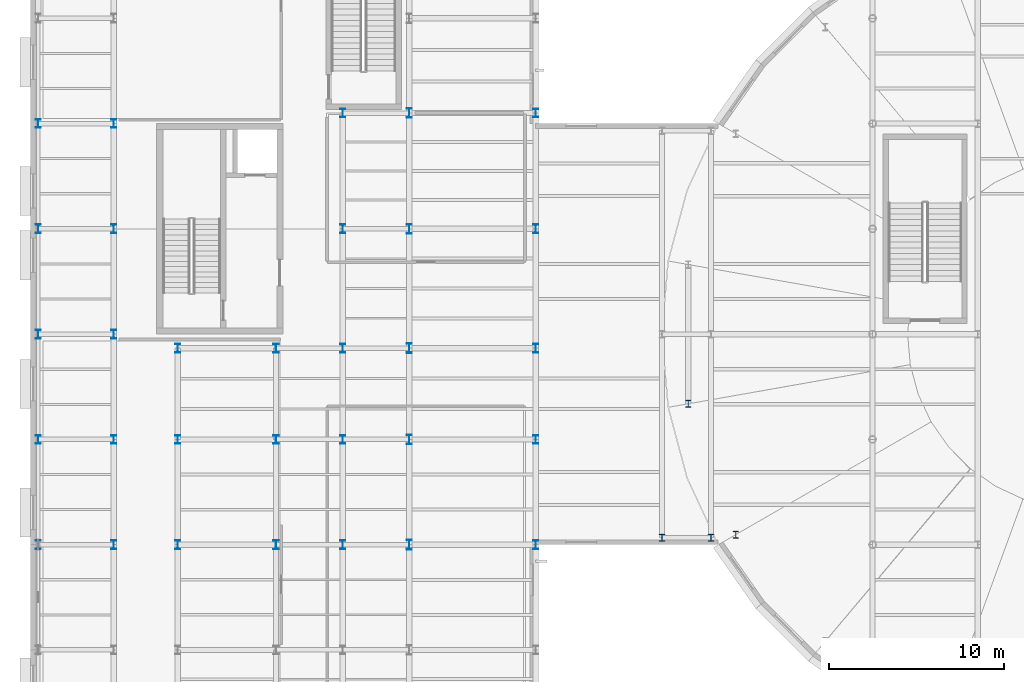
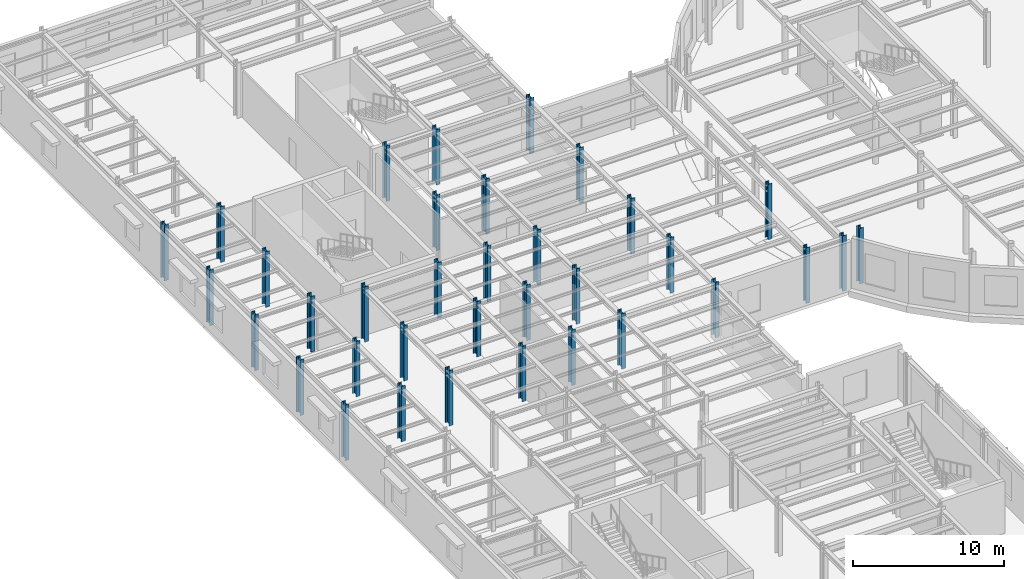
# One storey, part 3 of 91: 35 columns.
"""IFC4 building model written with IfcOpenShell, lengths in metres."""

from ifc_helpers import new_model, si_unit, direction, frame, origin, origin_2d, place, context, subcontext, project, spatial, i_section, extrude, material, material_profile, profile_set, type_object, element, save


model = new_model("IFC4")

# Units and contexts
model_context = context("Model", 3, precision=1e-05, world=origin(), true_north=direction((0.0, 1.0)))
body_context = subcontext(model_context, "Body", "Model", "MODEL_VIEW")
ifc_project = project(units=[si_unit("LENGTHUNIT", "METRE"), si_unit("AREAUNIT", "SQUARE_METRE"), si_unit("VOLUMEUNIT", "CUBIC_METRE"), si_unit("PLANEANGLEUNIT", "RADIAN"), si_unit("MASSUNIT", "GRAM", prefix="KILO")], contexts=[model_context])

# Site, building, storey
site_placement = place(None, origin())
site = spatial("IfcSite", under=ifc_project, at=site_placement, CompositionType="ELEMENT")
building_placement = place(site_placement, origin())
building = spatial("IfcBuilding", under=site, at=building_placement, Name="Kolvaren Corner Interchange", CompositionType="ELEMENT")
storey_placement = place(building_placement, frame((0.0, 0.0, 6.0)))
storey = spatial("IfcBuildingStorey", under=building, at=storey_placement, Name="L02", CompositionType="ELEMENT", Elevation=6.0)

# Columns
ifc_material_1 = material(Name="Steel S355", Category="steel")
ifc_material_profile_1 = material_profile(ifc_material_1, i_section(OverallWidth=0.300048828125, OverallDepth=0.39990234375, WebThickness=0.013427734375, FlangeThickness=0.02392578125, FilletRadius=0.027099609375, at=origin_2d()), Name="HEB 400")
ifc_profile_set_1 = profile_set([ifc_material_profile_1], Name="Steel S355")
column_type_1 = type_object("IfcColumnType", Name="COL-HEB400", PredefinedType="COLUMN", material=ifc_profile_set_1)
for number, where, z_axis, x_axis, name in (
    (1, (36.0, 36.39990234375, 0.0), (0.0, 0.0, 1.0), (1.0, 0.0, 0.0), "Storey L02 Structural Column 0447"),
    (2, (38.800048828125, 36.39990234375, 0.0), (0.0, 0.0, 1.0), (1.0, 0.0, 0.0), "Storey L02 Structural Column 0459"),
    (3, (37.4970703125, 44.031982421875, 0.0), (0.0, 0.0, 1.0), (1.0, 0.0, 0.0), "Storey L02 Structural Column 0801"),
    (4, (40.2109375, 36.574951171875, 0.0), (0.0, 0.0, 1.0), (1.0, 0.0, 0.0), "Storey L02 Structural Column 0805"),
):
    element("IfcColumn", number, at=place(storey_placement, frame(where, z_axis=z_axis, x_axis=x_axis)), inside=storey, type_object=column_type_1, Name=name, PredefinedType="COLUMN", context=body_context, shape_type="SweptSolid", body=[
        extrude(i_section(OverallWidth=0.300048828125, OverallDepth=0.39990234375, WebThickness=0.013427734375, FlangeThickness=0.02392578125, FilletRadius=0.027099609375, at=origin_2d()), origin(), (0.0, 0.0, 1.0), 4.5),
    ])
ifc_material_2 = material(Name="Steel S355", Category="steel")
ifc_material_profile_2 = material_profile(ifc_material_2, i_section(OverallWidth=0.300048828125, OverallDepth=0.5, WebThickness=0.014404296875, FlangeThickness=0.028076171875, FilletRadius=0.027099609375, at=origin_2d()), Name="HEB 500")
ifc_profile_set_2 = profile_set([ifc_material_profile_2], Name="Steel S355")
column_type_2 = type_object("IfcColumnType", Name="COL-HEB500", PredefinedType="COLUMN", material=ifc_profile_set_2)
for number, where, z_axis, x_axis, name in (
    (5, (0.449951171875, 36.0, 0.0), (0.0, 0.0, 1.0), (1.0, 0.0, 0.0), "Storey L02 Structural Column 0032"),
    (6, (0.449951171875, 42.0, 0.0), (0.0, 0.0, 1.0), (1.0, 0.0, 0.0), "Storey L02 Structural Column 0037"),
    (7, (0.449951171875, 48.0, 0.0), (0.0, 0.0, 1.0), (1.0, 0.0, 0.0), "Storey L02 Structural Column 0042"),
    (8, (0.449951171875, 54.0, 0.0), (0.0, 0.0, 1.0), (1.0, 0.0, 0.0), "Storey L02 Structural Column 0047"),
    (9, (0.449951171875, 60.0, 0.0), (0.0, 0.0, 1.0), (1.0, 0.0, 0.0), "Storey L02 Structural Column 0052"),
    (10, (4.75, 36.0, 0.0), (0.0, 0.0, 1.0), (1.0, 0.0, 0.0), "Storey L02 Structural Column 0100"),
    (11, (4.75, 42.0, 0.0), (0.0, 0.0, 1.0), (1.0, 0.0, 0.0), "Storey L02 Structural Column 0105"),
    (12, (4.75, 48.0, 0.0), (0.0, 0.0, 1.0), (1.0, 0.0, 0.0), "Storey L02 Structural Column 0110"),
    (13, (4.75, 54.0, 0.0), (0.0, 0.0, 1.0), (1.0, 0.0, 0.0), "Storey L02 Structural Column 0115"),
    (14, (4.75, 60.0, 0.0), (0.0, 0.0, 1.0), (1.0, 0.0, 0.0), "Storey L02 Structural Column 0120"),
    (15, (8.39990234375, 36.0, 0.0), (0.0, 0.0, 1.0), (1.0, 0.0, 0.0), "Storey L02 Structural Column 0232"),
    (16, (8.39990234375, 42.0, 0.0), (0.0, 0.0, 1.0), (1.0, 0.0, 0.0), "Storey L02 Structural Column 0238"),
    (17, (8.39990234375, 47.199951171875, 0.0), (0.0, 0.0, 1.0), (1.0, 0.0, 0.0), "Storey L02 Structural Column 0244"),
    (18, (14.0, 36.0, 0.0), (0.0, 0.0, 1.0), (1.0, 0.0, 0.0), "Storey L02 Structural Column 0268"),
    (19, (14.0, 42.0, 0.0), (0.0, 0.0, 1.0), (1.0, 0.0, 0.0), "Storey L02 Structural Column 0274"),
    (20, (14.0, 47.199951171875, 0.0), (0.0, 0.0, 1.0), (1.0, 0.0, 0.0), "Storey L02 Structural Column 0280"),
    (21, (17.800048828125, 36.0, 0.0), (0.0, 0.0, 1.0), (1.0, 0.0, 0.0), "Storey L02 Structural Column 0304"),
    (22, (17.800048828125, 42.0, 0.0), (0.0, 0.0, 1.0), (1.0, 0.0, 0.0), "Storey L02 Structural Column 0310"),
    (23, (17.800048828125, 47.199951171875, 0.0), (0.0, 0.0, 1.0), (1.0, 0.0, 0.0), "Storey L02 Structural Column 0316"),
    (24, (17.800048828125, 54.0, 0.0), (0.0, 0.0, 1.0), (1.0, 0.0, 0.0), "Storey L02 Structural Column 0322"),
    (25, (17.800048828125, 60.60009765625, 0.0), (0.0, 0.0, 1.0), (1.0, 0.0, 0.0), "Storey L02 Structural Column 0328"),
    (26, (28.800048828125, 36.0, 0.0), (0.0, 0.0, 1.0), (1.0, 0.0, 0.0), "Storey L02 Structural Column 0392"),
    (27, (28.800048828125, 42.0, 0.0), (0.0, 0.0, 1.0), (1.0, 0.0, 0.0), "Storey L02 Structural Column 0396"),
    (28, (28.800048828125, 47.199951171875, 0.0), (0.0, 0.0, 1.0), (1.0, 0.0, 0.0), "Storey L02 Structural Column 0400"),
    (29, (28.800048828125, 54.0, 0.0), (0.0, 0.0, 1.0), (1.0, 0.0, 0.0), "Storey L02 Structural Column 0404"),
    (30, (28.800048828125, 60.60009765625, 0.0), (0.0, 0.0, 1.0), (1.0, 0.0, 0.0), "Storey L02 Structural Column 0408"),
):
    element("IfcColumn", number, at=place(storey_placement, frame(where, z_axis=z_axis, x_axis=x_axis)), inside=storey, type_object=column_type_2, Name=name, PredefinedType="COLUMN", context=body_context, shape_type="SweptSolid", body=[
        extrude(i_section(OverallWidth=0.300048828125, OverallDepth=0.5, WebThickness=0.014404296875, FlangeThickness=0.028076171875, FilletRadius=0.027099609375, at=origin_2d()), origin(), (0.0, 0.0, 1.0), 4.5),
    ])
ifc_material_3 = material(Name="Steel S355", Category="steel")
ifc_material_profile_3 = material_profile(ifc_material_3, i_section(OverallWidth=0.300048828125, OverallDepth=0.550048828125, WebThickness=0.014892578125, FlangeThickness=0.029052734375, FilletRadius=0.027099609375, at=origin_2d()), Name="HEB 550")
ifc_profile_set_3 = profile_set([ifc_material_profile_3], Name="Steel S355")
column_type_3 = type_object("IfcColumnType", Name="COL-HEB550", PredefinedType="COLUMN", material=ifc_profile_set_3)
for number, where, z_axis, x_axis, name in (
    (31, (21.60009765625, 36.0, 0.0), (0.0, 0.0, 1.0), (1.0, 0.0, 0.0), "Storey L02 Structural Column 0345"),
    (32, (21.60009765625, 42.0, 0.0), (0.0, 0.0, 1.0), (1.0, 0.0, 0.0), "Storey L02 Structural Column 0351"),
    (33, (21.60009765625, 47.199951171875, 0.0), (0.0, 0.0, 1.0), (1.0, 0.0, 0.0), "Storey L02 Structural Column 0357"),
    (34, (21.60009765625, 54.0, 0.0), (0.0, 0.0, 1.0), (1.0, 0.0, 0.0), "Storey L02 Structural Column 0363"),
    (35, (21.60009765625, 60.60009765625, 0.0), (0.0, 0.0, 1.0), (1.0, 0.0, 0.0), "Storey L02 Structural Column 0369"),
):
    element("IfcColumn", number, at=place(storey_placement, frame(where, z_axis=z_axis, x_axis=x_axis)), inside=storey, type_object=column_type_3, Name=name, PredefinedType="COLUMN", context=body_context, shape_type="SweptSolid", body=[
        extrude(i_section(OverallWidth=0.300048828125, OverallDepth=0.550048828125, WebThickness=0.014892578125, FlangeThickness=0.029052734375, FilletRadius=0.027099609375, at=origin_2d()), origin(), (0.0, 0.0, 1.0), 4.5),
    ])

save(model, "model.ifc")
